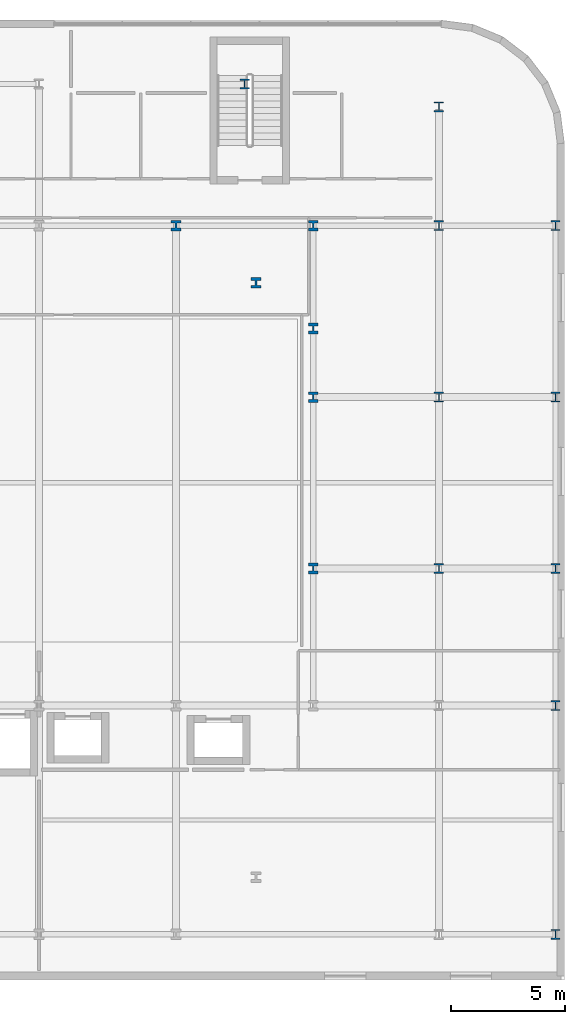
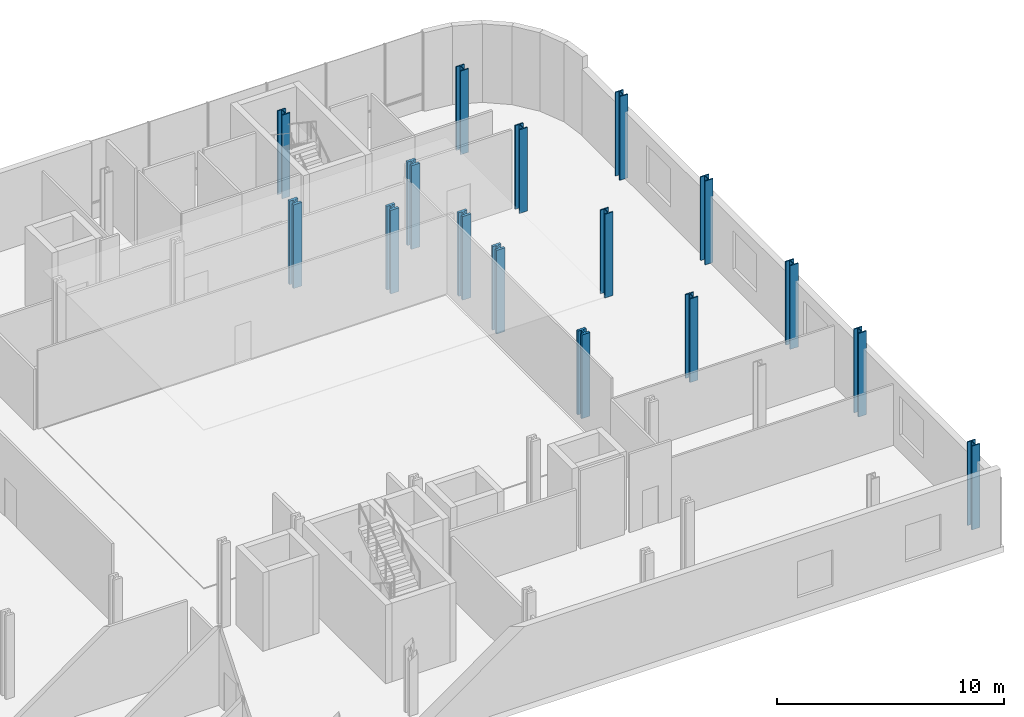
# One storey, part 2 of 25: 16 columns.
"""IFC4 building model written with IfcOpenShell, lengths in metres."""

from ifc_helpers import new_model, si_unit, direction, frame, origin, origin_2d, place, context, subcontext, project, spatial, i_section, extrude, material, material_profile, profile_set, type_object, element, save


model = new_model("IFC4")

# Units and contexts
model_context = context("Model", 3, precision=1e-05, world=origin(), true_north=direction((0.0, 1.0)))
body_context = subcontext(model_context, "Body", "Model", "MODEL_VIEW")
ifc_project = project(units=[si_unit("LENGTHUNIT", "METRE"), si_unit("AREAUNIT", "SQUARE_METRE"), si_unit("VOLUMEUNIT", "CUBIC_METRE"), si_unit("PLANEANGLEUNIT", "RADIAN"), si_unit("MASSUNIT", "GRAM", prefix="KILO")], contexts=[model_context])

# Site, building, storey
site_placement = place(None, origin())
site = spatial("IfcSite", under=ifc_project, at=site_placement, CompositionType="ELEMENT")
building_placement = place(site_placement, origin())
building = spatial("IfcBuilding", under=site, at=building_placement, Name="Brevholm Reach", CompositionType="ELEMENT")
storey_placement = place(building_placement, frame((0.0, 0.0, 4.5)))
storey = spatial("IfcBuildingStorey", under=building, at=storey_placement, Name="L01", CompositionType="ELEMENT", Elevation=4.5)

# Columns
ifc_material_1 = material(Name="Structural Steel S460ML", Category="steel")
ifc_material_profile_1 = material_profile(ifc_material_1, i_section(OverallWidth=0.427978515625, OverallDepth=0.468994140625, WebThickness=0.077880859375, FlangeThickness=0.125, FilletRadius=0.014892578125, at=origin_2d()), Name="HD 400x1086")
ifc_profile_set_1 = profile_set([ifc_material_profile_1], Name="Structural Steel S460ML")
column_type_1 = type_object("IfcColumnType", Name="COL-HD1", PredefinedType="COLUMN", material=ifc_profile_set_1)
for number, where, z_axis, x_axis, name in (
    (1, (54.0, 31.0, 0.0), (0.0, 0.0, 1.0), (1.0, 0.0, 0.0), "L01 Column 52"),
    (2, (57.5, 28.5, 0.0), (0.0, 0.0, 1.0), (1.0, 0.0, 0.0), "L01 Column 55"),
    (3, (60.0, 16.0, 0.0), (0.0, 0.0, 1.0), (1.0, 0.0, 0.0), "L01 Column 57"),
    (4, (60.0, 23.5, 0.0), (0.0, 0.0, 1.0), (1.0, 0.0, 0.0), "L01 Column 58"),
    (5, (60.0, 26.5, 0.0), (0.0, 0.0, 1.0), (1.0, 0.0, 0.0), "L01 Column 59"),
    (6, (60.0, 31.0, 0.0), (0.0, 0.0, 1.0), (1.0, 0.0, 0.0), "L01 Column 60"),
):
    element("IfcColumn", number, at=place(storey_placement, frame(where, z_axis=z_axis, x_axis=x_axis)), inside=storey, type_object=column_type_1, Name=name, PredefinedType="COLUMN", context=body_context, shape_type="SweptSolid", body=[
        extrude(i_section(OverallWidth=0.427978515625, OverallDepth=0.468994140625, WebThickness=0.077880859375, FlangeThickness=0.125, FilletRadius=0.014892578125, at=origin_2d()), origin(), (0.0, 0.0, 1.0), 4.5),
    ])
ifc_material_2 = material(Name="Structural Steel S460ML", Category="steel")
ifc_material_profile_2 = material_profile(ifc_material_2, i_section(OverallWidth=0.412109375, OverallDepth=0.4365234375, WebThickness=0.035888671875, FlangeThickness=0.05810546875, FilletRadius=0.01513671875, at=origin_2d()), Name="UKC 356x406x467")
ifc_profile_set_2 = profile_set([ifc_material_profile_2], Name="Structural Steel S460ML")
column_type_2 = type_object("IfcColumnType", Name="COL-UC3", PredefinedType="COLUMN", material=ifc_profile_set_2)
for number, where, z_axis, x_axis, name in (
    (7, (57.0, 37.199951171875, 0.0), (0.0, 0.0, 1.0), (1.0, 0.0, 0.0), "L01 Column 53"),
    (8, (65.5, 16.0, 0.0), (0.0, 0.0, 1.0), (1.0, 0.0, 0.0), "L01 Column 63"),
    (9, (65.5, 23.5, 0.0), (0.0, 0.0, 1.0), (1.0, 0.0, 0.0), "L01 Column 64"),
    (10, (65.5, 31.0, 0.0), (0.0, 0.0, 1.0), (1.0, 0.0, 0.0), "L01 Column 65"),
    (11, (65.5, 36.199951171875, 0.0), (0.0, 0.0, 1.0), (1.0, 0.0, 0.0), "L01 Column 66"),
    (12, (70.60009765625, 0.0, 0.0), (0.0, 0.0, 1.0), (1.0, 0.0, 0.0), "L01 Column 67"),
    (13, (70.60009765625, 10.0, 0.0), (0.0, 0.0, 1.0), (1.0, 0.0, 0.0), "L01 Column 68"),
    (14, (70.60009765625, 16.0, 0.0), (0.0, 0.0, 1.0), (1.0, 0.0, 0.0), "L01 Column 69"),
    (15, (70.60009765625, 23.5, 0.0), (0.0, 0.0, 1.0), (1.0, 0.0, 0.0), "L01 Column 70"),
    (16, (70.60009765625, 31.0, 0.0), (0.0, 0.0, 1.0), (1.0, 0.0, 0.0), "L01 Column 71"),
):
    element("IfcColumn", number, at=place(storey_placement, frame(where, z_axis=z_axis, x_axis=x_axis)), inside=storey, type_object=column_type_2, Name=name, PredefinedType="COLUMN", context=body_context, shape_type="SweptSolid", body=[
        extrude(i_section(OverallWidth=0.412109375, OverallDepth=0.4365234375, WebThickness=0.035888671875, FlangeThickness=0.05810546875, FilletRadius=0.01513671875, at=origin_2d()), origin(), (0.0, 0.0, 1.0), 4.5),
    ])

save(model, "model.ifc")
